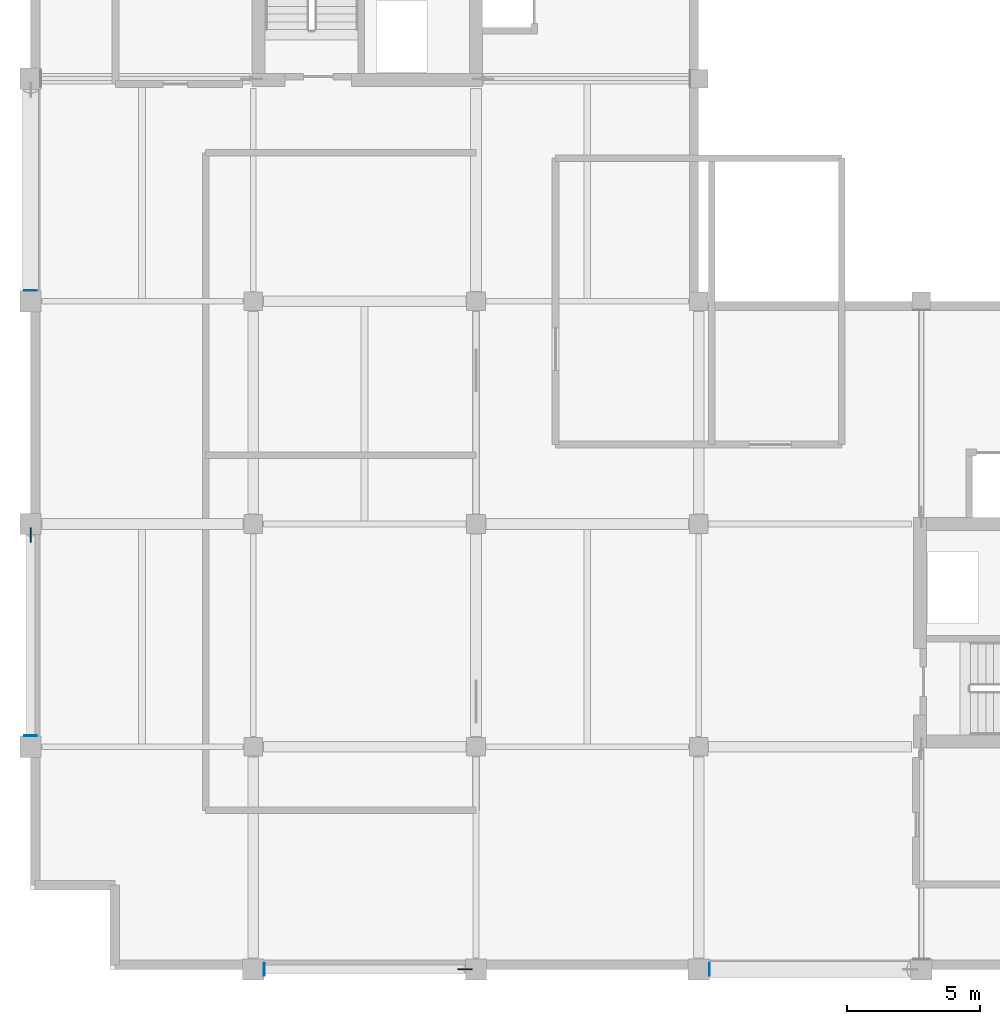
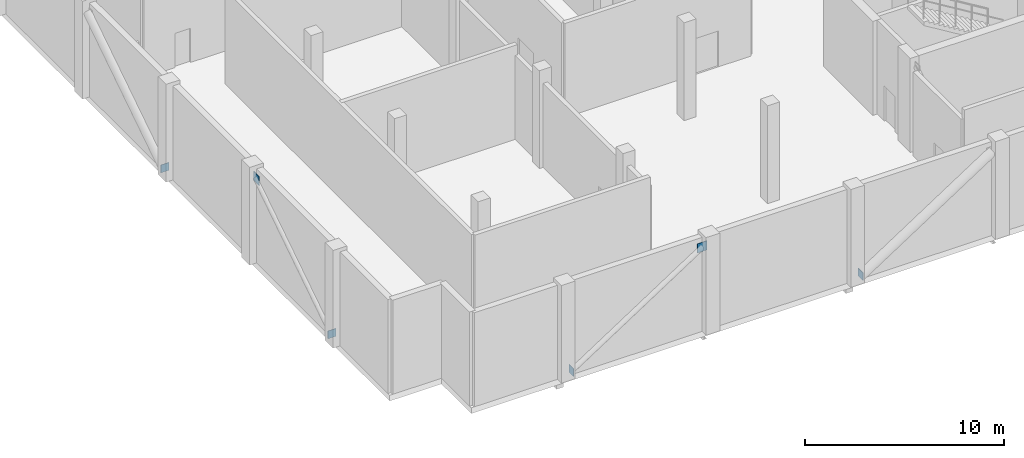
# One storey, part 6 of 14: 6 plates.
"""IFC4 building model written with IfcOpenShell, lengths in metres."""

import ifcopenshell
import ifcopenshell.guid

model = None  # the IFC model being written
_history = None  # IfcOwnerHistory: only IFC2X3 demands one
_inside = {}  # id of a spatial element -> (the spatial element, [elements in it])
_under = {}  # id of a project, library or spatial element -> (it, [spatial elements below it])
_declared = {}  # id of a project -> (the project, [libraries it declares])
_typed = {}  # id of a type object -> (the type object, [elements of that type])
_made_of = {}  # id of a material, layer set ... -> (it, [elements and type objects made of it])


def new_model(schema):
    """Start an empty IFC model of exactly this schema.

    Asked for "IFC4X3", IfcOpenShell would pick the latest addendum, in which some entities
    have other attributes; the version numbers below select the first issue.
    IFC2X3 requires an IfcOwnerHistory on every rooted entity: one is made here for all.
    """
    global model, _history
    if schema == "IFC4X3":
        model = ifcopenshell.file(schema_version=(4, 3, 0, 0))
    else:
        model = ifcopenshell.file(schema=schema)
    _inside.clear()
    _under.clear()
    _declared.clear()
    _typed.clear()
    _made_of.clear()
    _history = None
    if model.schema == "IFC2X3":
        org = make("IfcOrganization", Name="unknown")
        user = make(
            "IfcPersonAndOrganization",
            ThePerson=make("IfcPerson", FamilyName="unknown"),
            TheOrganization=org,
        )
        app = make(
            "IfcApplication",
            ApplicationDeveloper=org,
            Version="unknown",
            ApplicationFullName="unknown",
            ApplicationIdentifier="unknown",
        )
        _history = make(
            "IfcOwnerHistory",
            OwningUser=user,
            OwningApplication=app,
            ChangeAction="ADDED",
            CreationDate=0,
        )
    return model


def make(cls, **values):
    """One entity of the class cls with the attributes given. An attribute that is None is left unset."""
    return model.create_entity(
        cls, **{name: value for name, value in values.items() if value is not None}
    )


def rooted(cls, **values):
    """An entity with a GlobalId (a new one), such as an element, a storey or a relation."""
    return make(cls, GlobalId=ifcopenshell.guid.new(), OwnerHistory=_history, **values)


def si_unit(unit_type, name, prefix=None):
    """IfcSIUnit, for example si_unit("LENGTHUNIT", "METRE", prefix="MILLI")."""
    return make("IfcSIUnit", UnitType=unit_type, Prefix=prefix, Name=name)


def assignment(units):
    """IfcUnitAssignment: the units of a project."""
    return None if units is None else make("IfcUnitAssignment", Units=units)


def point(xyz):
    """IfcCartesianPoint."""
    return None if xyz is None else make("IfcCartesianPoint", Coordinates=xyz)


def direction(xyz):
    """IfcDirection."""
    return None if xyz is None else make("IfcDirection", DirectionRatios=xyz)


def frame(location, z_axis=None, x_axis=None):
    """IfcAxis2Placement3D, a coordinate frame: its origin and axes. An axis left out is left unset."""
    return make(
        "IfcAxis2Placement3D",
        Location=point(location),
        Axis=direction(z_axis),
        RefDirection=direction(x_axis),
    )


def frame_2d(location, x_axis=None):
    """IfcAxis2Placement2D, a coordinate frame in the plane: its origin and x axis."""
    return make(
        "IfcAxis2Placement2D", Location=point(location), RefDirection=direction(x_axis)
    )


def origin():
    """The frame at (0, 0, 0) with its axes left unset."""
    return frame((0.0, 0.0, 0.0))


def origin_2d():
    """The frame at (0, 0) in the plane with its x axis left unset."""
    return frame_2d((0.0, 0.0))


def place(relative_to, where):
    """IfcLocalPlacement: puts the frame where relative to a parent placement (None: the world)."""
    return make(
        "IfcLocalPlacement", PlacementRelTo=relative_to, RelativePlacement=where
    )


def context(
    kind, dimensions, precision=None, world=None, true_north=None, identifier=None
):
    """IfcGeometricRepresentationContext, for example the 3D "Model" context."""
    return make(
        "IfcGeometricRepresentationContext",
        ContextIdentifier=identifier,
        ContextType=kind,
        CoordinateSpaceDimension=dimensions,
        Precision=precision,
        WorldCoordinateSystem=world,
        TrueNorth=true_north,
    )


def subcontext(parent, identifier, kind, view, scale=None):
    """IfcGeometricRepresentationSubContext, for example "Body" below "Model"."""
    return make(
        "IfcGeometricRepresentationSubContext",
        ContextIdentifier=identifier,
        ContextType=kind,
        ParentContext=parent,
        TargetScale=scale,
        TargetView=view,
    )


def project(units=None, contexts=None):
    """IfcProject with its units and contexts."""
    return rooted(
        "IfcProject",
        Name="project",
        RepresentationContexts=contexts,
        UnitsInContext=assignment(units),
    )


def spatial(cls, under=None, at=None, **own):
    """A site, building, storey or space (cls), placed at a placement, below another one or the project."""
    s = rooted(cls, ObjectPlacement=at, **own)
    if under is not None:
        _under.setdefault(under.id(), (under, []))[1].append(s)
    return s


def profile(cls, at=None, kind="AREA", **sizes):
    """A parametric profile (cls). Its sizes go by their IFC names, for example OverallWidth=200.0."""
    return make(cls, ProfileType=kind, Position=at, **sizes)


def rectangle(**sizes):
    """IfcRectangleProfileDef."""
    return profile("IfcRectangleProfileDef", **sizes)


def extrude(swept, where, along, depth):
    """IfcExtrudedAreaSolid: the profile swept, set in the frame where, extruded along a direction by depth."""
    return make(
        "IfcExtrudedAreaSolid",
        SweptArea=swept,
        Position=where,
        ExtrudedDirection=direction(along),
        Depth=depth,
    )


def shape(context_of_items, identifier, shape_type, items):
    """IfcShapeRepresentation: the items that make up one representation, for example the "Body"."""
    return make(
        "IfcShapeRepresentation",
        ContextOfItems=context_of_items,
        RepresentationIdentifier=identifier,
        RepresentationType=shape_type,
        Items=items,
    )


def material(Name=None, Category=None):
    """IfcMaterial."""
    return make("IfcMaterial", Name=Name, Category=Category)


def layer(
    of_material, thickness, ventilated=None, Name=None, Category=None, Priority=None
):
    """IfcMaterialLayer: one layer of a wall or slab, of a material (None: an air gap)."""
    return make(
        "IfcMaterialLayer",
        Material=of_material,
        LayerThickness=thickness,
        IsVentilated=ventilated,
        Name=Name,
        Category=Category,
        Priority=Priority,
    )


def layer_set(layers, Name=None):
    """IfcMaterialLayerSet."""
    return make("IfcMaterialLayerSet", MaterialLayers=layers, LayerSetName=Name)


def made_of(thing, what):
    """Note that an element or type object is made of a material, layer set ...; save() writes the relation."""
    if what is not None:
        _made_of.setdefault(what.id(), (what, []))[1].append(thing)
    return thing


def type_object(cls, material=None, **own):
    """A type object (cls), such as IfcWallType, which elements share."""
    return made_of(rooted(cls, **own), material)


def element(
    cls,
    number,
    at=None,
    inside=None,
    cuts=None,
    type_object=None,
    material=None,
    context=None,
    identifier="Body",
    shape_type=None,
    held_by="IfcProductDefinitionShape",
    body=None,
    shapes=None,
    **own,
):
    """One element of the class cls, such as IfcWall. Its Tag is "e" and its number.

    at: its placement. inside: the storey or other place that contains it. cuts: it is an
    opening in that element (IfcRelVoidsElement). A single representation is given by context,
    identifier, shape_type and body (its items); several are given by shapes. held_by: the class
    of the entity that holds the representations. save() writes the other relations.
    """
    e = rooted(cls, Tag="e%d" % number, ObjectPlacement=at, **own)
    if body is not None:
        shapes = [shape(context, identifier, shape_type, body)]
    if shapes is not None:
        e.Representation = make(held_by, Representations=shapes)
    if inside is not None:
        _inside.setdefault(inside.id(), (inside, []))[1].append(e)
    if cuts is not None:
        rooted(
            "IfcRelVoidsElement", RelatingBuildingElement=cuts, RelatedOpeningElement=e
        )
    if type_object is not None:
        _typed.setdefault(type_object.id(), (type_object, []))[1].append(e)
    return made_of(e, material)


def aggregate(whole, parts):
    """IfcRelAggregates: a whole, such as a stair, and the parts it consists of."""
    return rooted("IfcRelAggregates", RelatingObject=whole, RelatedObjects=parts)


def save(model, path):
    """Write the relations noted so far, then the file.

    IfcRelAggregates (storeys below a building ...), IfcRelContainedInSpatialStructure (elements
    in a storey), IfcRelDefinesByType, IfcRelAssociatesMaterial and IfcRelDeclares: one each for
    every whole, place, type object, material and project.
    """
    for whole, parts in _under.values():
        aggregate(whole, parts)
    for where, things in _inside.values():
        rooted(
            "IfcRelContainedInSpatialStructure",
            RelatedElements=things,
            RelatingStructure=where,
        )
    for kind, things in _typed.values():
        rooted("IfcRelDefinesByType", RelatedObjects=things, RelatingType=kind)
    for what, things in _made_of.values():
        rooted("IfcRelAssociatesMaterial", RelatedObjects=things, RelatingMaterial=what)
    for by, libraries in _declared.values():
        rooted("IfcRelDeclares", RelatingContext=by, RelatedDefinitions=libraries)
    model.write(path)


model = new_model("IFC4")

# Units and contexts
model_context = context("Model", 3, precision=1e-05, world=origin(), true_north=direction((0.0, 1.0)))
body_context = subcontext(model_context, "Body", "Model", "MODEL_VIEW")
ifc_project = project(units=[si_unit("LENGTHUNIT", "METRE"), si_unit("AREAUNIT", "SQUARE_METRE"), si_unit("VOLUMEUNIT", "CUBIC_METRE"), si_unit("PLANEANGLEUNIT", "RADIAN"), si_unit("MASSUNIT", "GRAM", prefix="KILO")], contexts=[model_context])

# Site, building, storey
site_placement = place(None, origin())
site = spatial("IfcSite", under=ifc_project, at=site_placement, CompositionType="ELEMENT")
building_placement = place(site_placement, origin())
building = spatial("IfcBuilding", under=site, at=building_placement, Name="Koriwani Terraces Tower", CompositionType="ELEMENT")
storey_placement = place(building_placement, frame((0.0, 0.0, 294.800048828125)))
storey = spatial("IfcBuildingStorey", under=building, at=storey_placement, Name="L73", CompositionType="ELEMENT", Elevation=294.800048828125)

# Plates
ifc_material = material(Name="Steel ASTM A572 Grade 50", Category="steel")
ifc_layer_1 = layer(ifc_material, 0.02490234375, Name="Steel ASTM A572 Grade 50")
ifc_layer_set_1 = layer_set([ifc_layer_1], Name="Steel ASTM A572 Grade 50")
plate_type_1 = type_object("IfcPlateType", Name="STEEL_CAP_PLATE_25", PredefinedType="USERDEFINED", material=ifc_layer_set_1)
for number, where, z_axis, x_axis, name in (
    (1, (17.21337890625, 8.39990234375, 0.03173828125), (0.0, 0.0, 1.0), (1.0, 0.0, 0.0), "Brace End Cap Plate BT-L73-BS1"),
    (2, (34.013427734375, 8.39990234375, 0.03173828125), (0.0, 0.0, 1.0), (1.0, 0.0, 0.0), "Brace End Cap Plate BT-L73-BS2"),
    (3, (8.39990234375, 17.21337890625, 0.03173828125), (0.0, 0.0, 1.0), (0.0, 1.0, 0.0), "Brace End Cap Plate BT-L73-BW1"),
    (4, (8.39990234375, 34.013427734375, 0.03173828125), (0.0, 0.0, 1.0), (0.0, 1.0, 0.0), "Brace End Cap Plate BT-L73-BW2"),
):
    element("IfcPlate", number, at=place(storey_placement, frame(where, z_axis=z_axis, x_axis=x_axis)), inside=storey, type_object=plate_type_1, Name=name, ObjectType="FLANGE_PLATE", PredefinedType="USERDEFINED", context=body_context, shape_type="SweptSolid", body=[
        extrude(rectangle(XDim=0.02490234375, YDim=0.47998046875, at=origin_2d()), origin(), (0.0, 0.0, 1.0), 0.47998046875),
    ])
ifc_layer_2 = layer(ifc_material, 0.0400390625, Name="Steel ASTM A572 Grade 50")
ifc_layer_set_2 = layer_set([ifc_layer_2], Name="Steel ASTM A572 Grade 50")
plate_type_2 = type_object("IfcPlateType", Name="STEEL_GUSSET_PLATE_40", PredefinedType="USERDEFINED", material=ifc_layer_set_2)
for number, where, z_axis, x_axis, name in (
    (5, (24.78662109375, 8.39990234375, 4.918212890625), (0.0, 0.0, 1.0), (1.0, 0.0, 0.0), "Brace Node Gusset Plate BT-L73-BS1"),
    (6, (8.39990234375, 24.78662109375, 4.918212890625), (0.0, 0.0, 1.0), (0.0, 1.0, 0.0), "Brace Node Gusset Plate BT-L73-BW1"),
):
    element("IfcPlate", number, at=place(storey_placement, frame(where, z_axis=z_axis, x_axis=x_axis)), inside=storey, type_object=plate_type_2, Name=name, ObjectType="GUSSET_PLATE", PredefinedType="USERDEFINED", context=body_context, shape_type="SweptSolid", body=[
        extrude(rectangle(XDim=0.56005859375, YDim=0.0400390625, at=origin_2d()), origin(), (0.0, 0.0, 1.0), 0.56005859375),
    ])

save(model, "model.ifc")
